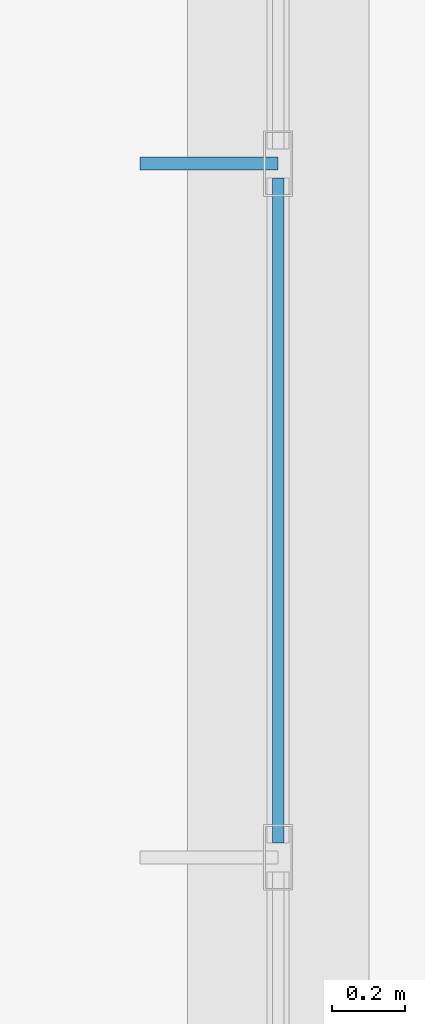
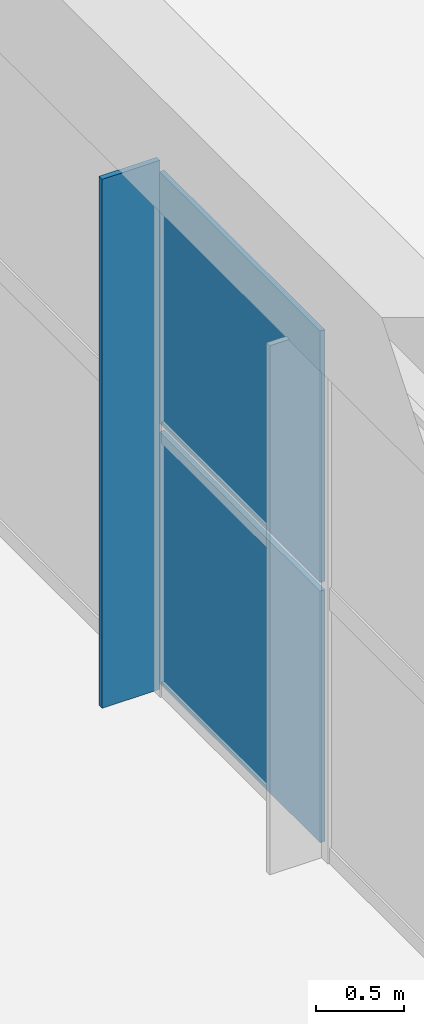
# One storey, part 132 of 175: 3 plates, 1 element without a shape of its own.
"""IFC4 building model written with IfcOpenShell, lengths in metres."""

import ifcopenshell
import ifcopenshell.guid

model = None  # the IFC model being written
_history = None  # IfcOwnerHistory: only IFC2X3 demands one
_inside = {}  # id of a spatial element -> (the spatial element, [elements in it])
_under = {}  # id of a project, library or spatial element -> (it, [spatial elements below it])
_declared = {}  # id of a project -> (the project, [libraries it declares])
_typed = {}  # id of a type object -> (the type object, [elements of that type])
_made_of = {}  # id of a material, layer set ... -> (it, [elements and type objects made of it])


def new_model(schema):
    """Start an empty IFC model of exactly this schema.

    Asked for "IFC4X3", IfcOpenShell would pick the latest addendum, in which some entities
    have other attributes; the version numbers below select the first issue.
    IFC2X3 requires an IfcOwnerHistory on every rooted entity: one is made here for all.
    """
    global model, _history
    if schema == "IFC4X3":
        model = ifcopenshell.file(schema_version=(4, 3, 0, 0))
    else:
        model = ifcopenshell.file(schema=schema)
    _inside.clear()
    _under.clear()
    _declared.clear()
    _typed.clear()
    _made_of.clear()
    _history = None
    if model.schema == "IFC2X3":
        org = make("IfcOrganization", Name="unknown")
        user = make(
            "IfcPersonAndOrganization",
            ThePerson=make("IfcPerson", FamilyName="unknown"),
            TheOrganization=org,
        )
        app = make(
            "IfcApplication",
            ApplicationDeveloper=org,
            Version="unknown",
            ApplicationFullName="unknown",
            ApplicationIdentifier="unknown",
        )
        _history = make(
            "IfcOwnerHistory",
            OwningUser=user,
            OwningApplication=app,
            ChangeAction="ADDED",
            CreationDate=0,
        )
    return model


def make(cls, **values):
    """One entity of the class cls with the attributes given. An attribute that is None is left unset."""
    return model.create_entity(
        cls, **{name: value for name, value in values.items() if value is not None}
    )


def rooted(cls, **values):
    """An entity with a GlobalId (a new one), such as an element, a storey or a relation."""
    return make(cls, GlobalId=ifcopenshell.guid.new(), OwnerHistory=_history, **values)


def si_unit(unit_type, name, prefix=None):
    """IfcSIUnit, for example si_unit("LENGTHUNIT", "METRE", prefix="MILLI")."""
    return make("IfcSIUnit", UnitType=unit_type, Prefix=prefix, Name=name)


def assignment(units):
    """IfcUnitAssignment: the units of a project."""
    return None if units is None else make("IfcUnitAssignment", Units=units)


def point(xyz):
    """IfcCartesianPoint."""
    return None if xyz is None else make("IfcCartesianPoint", Coordinates=xyz)


def direction(xyz):
    """IfcDirection."""
    return None if xyz is None else make("IfcDirection", DirectionRatios=xyz)


def frame(location, z_axis=None, x_axis=None):
    """IfcAxis2Placement3D, a coordinate frame: its origin and axes. An axis left out is left unset."""
    return make(
        "IfcAxis2Placement3D",
        Location=point(location),
        Axis=direction(z_axis),
        RefDirection=direction(x_axis),
    )


def frame_2d(location, x_axis=None):
    """IfcAxis2Placement2D, a coordinate frame in the plane: its origin and x axis."""
    return make(
        "IfcAxis2Placement2D", Location=point(location), RefDirection=direction(x_axis)
    )


def origin():
    """The frame at (0, 0, 0) with its axes left unset."""
    return frame((0.0, 0.0, 0.0))


def origin_2d():
    """The frame at (0, 0) in the plane with its x axis left unset."""
    return frame_2d((0.0, 0.0))


def place(relative_to, where):
    """IfcLocalPlacement: puts the frame where relative to a parent placement (None: the world)."""
    return make(
        "IfcLocalPlacement", PlacementRelTo=relative_to, RelativePlacement=where
    )


def context(
    kind, dimensions, precision=None, world=None, true_north=None, identifier=None
):
    """IfcGeometricRepresentationContext, for example the 3D "Model" context."""
    return make(
        "IfcGeometricRepresentationContext",
        ContextIdentifier=identifier,
        ContextType=kind,
        CoordinateSpaceDimension=dimensions,
        Precision=precision,
        WorldCoordinateSystem=world,
        TrueNorth=true_north,
    )


def subcontext(parent, identifier, kind, view, scale=None):
    """IfcGeometricRepresentationSubContext, for example "Body" below "Model"."""
    return make(
        "IfcGeometricRepresentationSubContext",
        ContextIdentifier=identifier,
        ContextType=kind,
        ParentContext=parent,
        TargetScale=scale,
        TargetView=view,
    )


def project(units=None, contexts=None):
    """IfcProject with its units and contexts."""
    return rooted(
        "IfcProject",
        Name="project",
        RepresentationContexts=contexts,
        UnitsInContext=assignment(units),
    )


def spatial(cls, under=None, at=None, **own):
    """A site, building, storey or space (cls), placed at a placement, below another one or the project."""
    s = rooted(cls, ObjectPlacement=at, **own)
    if under is not None:
        _under.setdefault(under.id(), (under, []))[1].append(s)
    return s


def polyline(points):
    """IfcPolyline through the points."""
    return make("IfcPolyline", Points=[point(p) for p in points])


def profile(cls, at=None, kind="AREA", **sizes):
    """A parametric profile (cls). Its sizes go by their IFC names, for example OverallWidth=200.0."""
    return make(cls, ProfileType=kind, Position=at, **sizes)


def rectangle(**sizes):
    """IfcRectangleProfileDef."""
    return profile("IfcRectangleProfileDef", **sizes)


def outline(outer, holes=None, kind="AREA"):
    """IfcArbitraryClosedProfileDef: a profile drawn as a closed curve; with holes, ...WithVoids."""
    if holes is None:
        return make("IfcArbitraryClosedProfileDef", ProfileType=kind, OuterCurve=outer)
    return make(
        "IfcArbitraryProfileDefWithVoids",
        ProfileType=kind,
        OuterCurve=outer,
        InnerCurves=holes,
    )


def extrude(swept, where, along, depth):
    """IfcExtrudedAreaSolid: the profile swept, set in the frame where, extruded along a direction by depth."""
    return make(
        "IfcExtrudedAreaSolid",
        SweptArea=swept,
        Position=where,
        ExtrudedDirection=direction(along),
        Depth=depth,
    )


def shape(context_of_items, identifier, shape_type, items):
    """IfcShapeRepresentation: the items that make up one representation, for example the "Body"."""
    return make(
        "IfcShapeRepresentation",
        ContextOfItems=context_of_items,
        RepresentationIdentifier=identifier,
        RepresentationType=shape_type,
        Items=items,
    )


def material(Name=None, Category=None):
    """IfcMaterial."""
    return make("IfcMaterial", Name=Name, Category=Category)


def layer(
    of_material, thickness, ventilated=None, Name=None, Category=None, Priority=None
):
    """IfcMaterialLayer: one layer of a wall or slab, of a material (None: an air gap)."""
    return make(
        "IfcMaterialLayer",
        Material=of_material,
        LayerThickness=thickness,
        IsVentilated=ventilated,
        Name=Name,
        Category=Category,
        Priority=Priority,
    )


def layer_set(layers, Name=None):
    """IfcMaterialLayerSet."""
    return make("IfcMaterialLayerSet", MaterialLayers=layers, LayerSetName=Name)


def made_of(thing, what):
    """Note that an element or type object is made of a material, layer set ...; save() writes the relation."""
    if what is not None:
        _made_of.setdefault(what.id(), (what, []))[1].append(thing)
    return thing


def type_object(cls, material=None, **own):
    """A type object (cls), such as IfcWallType, which elements share."""
    return made_of(rooted(cls, **own), material)


def element(
    cls,
    number,
    at=None,
    inside=None,
    cuts=None,
    type_object=None,
    material=None,
    context=None,
    identifier="Body",
    shape_type=None,
    held_by="IfcProductDefinitionShape",
    body=None,
    shapes=None,
    **own,
):
    """One element of the class cls, such as IfcWall. Its Tag is "e" and its number.

    at: its placement. inside: the storey or other place that contains it. cuts: it is an
    opening in that element (IfcRelVoidsElement). A single representation is given by context,
    identifier, shape_type and body (its items); several are given by shapes. held_by: the class
    of the entity that holds the representations. save() writes the other relations.
    """
    e = rooted(cls, Tag="e%d" % number, ObjectPlacement=at, **own)
    if body is not None:
        shapes = [shape(context, identifier, shape_type, body)]
    if shapes is not None:
        e.Representation = make(held_by, Representations=shapes)
    if inside is not None:
        _inside.setdefault(inside.id(), (inside, []))[1].append(e)
    if cuts is not None:
        rooted(
            "IfcRelVoidsElement", RelatingBuildingElement=cuts, RelatedOpeningElement=e
        )
    if type_object is not None:
        _typed.setdefault(type_object.id(), (type_object, []))[1].append(e)
    return made_of(e, material)


def aggregate(whole, parts):
    """IfcRelAggregates: a whole, such as a stair, and the parts it consists of."""
    return rooted("IfcRelAggregates", RelatingObject=whole, RelatedObjects=parts)


def save(model, path):
    """Write the relations noted so far, then the file.

    IfcRelAggregates (storeys below a building ...), IfcRelContainedInSpatialStructure (elements
    in a storey), IfcRelDefinesByType, IfcRelAssociatesMaterial and IfcRelDeclares: one each for
    every whole, place, type object, material and project.
    """
    for whole, parts in _under.values():
        aggregate(whole, parts)
    for where, things in _inside.values():
        rooted(
            "IfcRelContainedInSpatialStructure",
            RelatedElements=things,
            RelatingStructure=where,
        )
    for kind, things in _typed.values():
        rooted("IfcRelDefinesByType", RelatedObjects=things, RelatingType=kind)
    for what, things in _made_of.values():
        rooted("IfcRelAssociatesMaterial", RelatedObjects=things, RelatingMaterial=what)
    for by, libraries in _declared.values():
        rooted("IfcRelDeclares", RelatingContext=by, RelatedDefinitions=libraries)
    model.write(path)


model = new_model("IFC4")

# Units and contexts
model_context = context("Model", 3, precision=1e-05, world=origin(), true_north=direction((0.0, 1.0)))
body_context = subcontext(model_context, "Body", "Model", "MODEL_VIEW")
ifc_project = project(units=[si_unit("LENGTHUNIT", "METRE"), si_unit("AREAUNIT", "SQUARE_METRE"), si_unit("VOLUMEUNIT", "CUBIC_METRE"), si_unit("PLANEANGLEUNIT", "RADIAN"), si_unit("MASSUNIT", "GRAM", prefix="KILO")], contexts=[model_context])

# Site, building, storey
site_placement = place(None, origin())
site = spatial("IfcSite", under=ifc_project, at=site_placement, CompositionType="ELEMENT")
building_placement = place(site_placement, origin())
building = spatial("IfcBuilding", under=site, at=building_placement, Name="Zizhar Promenade General Hospital", CompositionType="ELEMENT")
storey_placement = place(building_placement, frame((0.0, 0.0, 4.800048828125)))
storey = spatial("IfcBuildingStorey", under=building, at=storey_placement, Name="L01", CompositionType="ELEMENT", Elevation=4.800048828125)

# Curtain wall, plates
ifc_material_1 = material(Name="Anodised aluminium 6063-T6 and low-E glass", Category="aluminium")
ifc_layer_1 = layer(ifc_material_1, 0.159912109375)
ifc_layer_set_1 = layer_set([ifc_layer_1], Name="Anodised aluminium 6063-T6 and low-E glass")
curtain_wall_type = type_object("IfcCurtainWallType", Name="CW-ED-FRONT", PredefinedType="NOTDEFINED", material=ifc_layer_set_1)
curtain_wall_placement = place(storey_placement, origin())
curtain_wall = element("IfcCurtainWall", 1, at=curtain_wall_placement, inside=storey, type_object=curtain_wall_type, Name="West Diagnostic Arm Glazed Curtain Wall L01-W3", PredefinedType="NOTDEFINED")
ifc_material_2 = material(Name="Low-E solar-control glass", Category="glass")
ifc_layer_2 = layer(ifc_material_2, 0.031982421875)
ifc_layer_set_2 = layer_set([ifc_layer_2], Name="Low-E solar-control glass")
plate_type_1 = type_object("IfcPlateType", Name="CWP-GLZ-32", PredefinedType="CURTAIN_PANEL", material=ifc_layer_set_2)
plate_1_placement = place(storey_placement, frame((0.0, 30.35498046875, 0.06005859375), z_axis=(0.0, 0.0, 1.0), x_axis=(0.0, 1.0, 0.0)))
plate_1 = element("IfcPlate", 2, at=plate_1_placement, type_object=plate_type_1, Name="CW-06 panel 3.1", PredefinedType="CURTAIN_PANEL", context=body_context, shape_type="SweptSolid", body=[
    extrude(rectangle(XDim=1.830078125, YDim=0.031982421875, at=origin_2d()), origin(), (0.0, 0.0, 1.0), 1.75),
])
plate_2_placement = place(storey_placement, frame((0.0, 30.35498046875, 1.869873046875), z_axis=(0.0, 0.0, 1.0), x_axis=(0.0, 1.0, 0.0)))
plate_2 = element("IfcPlate", 3, at=plate_2_placement, type_object=plate_type_1, Name="CW-06 panel 3.2", PredefinedType="CURTAIN_PANEL", context=body_context, shape_type="SweptSolid", body=[
    extrude(rectangle(XDim=1.830078125, YDim=0.031982421875, at=origin_2d()), origin(), (0.0, 0.0, 1.0), 1.75),
])
aggregate(curtain_wall, [plate_1, plate_2])

# Plate
ifc_material_3 = material(Name="Anodised aluminium 6063-T6", Category="aluminium")
ifc_layer_3 = layer(ifc_material_3, 0.035888671875)
ifc_layer_set_3 = layer_set([ifc_layer_3], Name="Anodised aluminium 6063-T6")
plate_type_2 = type_object("IfcPlateType", Name="FIN-ALU-380", PredefinedType="USERDEFINED", material=ifc_layer_set_3)
plate_3_placement = place(storey_placement, origin())
element("IfcPlate", 4, at=plate_3_placement, inside=storey, type_object=plate_type_2, Name="West Diagnostic Arm Glazed Curtain Wall L01-W3 Solar Fin 3", ObjectType="SOLAR_SHADE", PredefinedType="USERDEFINED", context=body_context, shape_type="SweptSolid", body=[
    extrude(outline(polyline([(0.0, 31.2919921875), (0.0, 31.327880859375), (-0.3798828125, 31.327880859375), (-0.3798828125, 31.2919921875), (0.0, 31.2919921875)])), origin(), (0.0, 0.0, 1.0), 3.679931640625),
])

save(model, "model.ifc")
